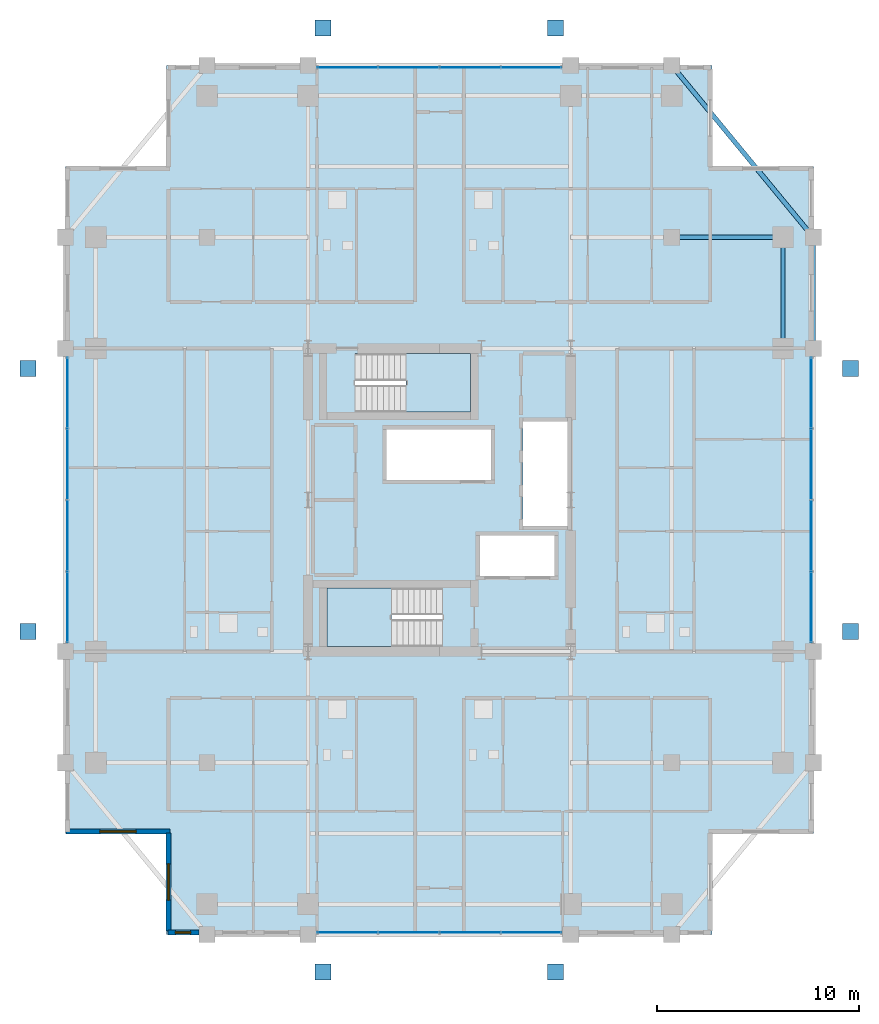
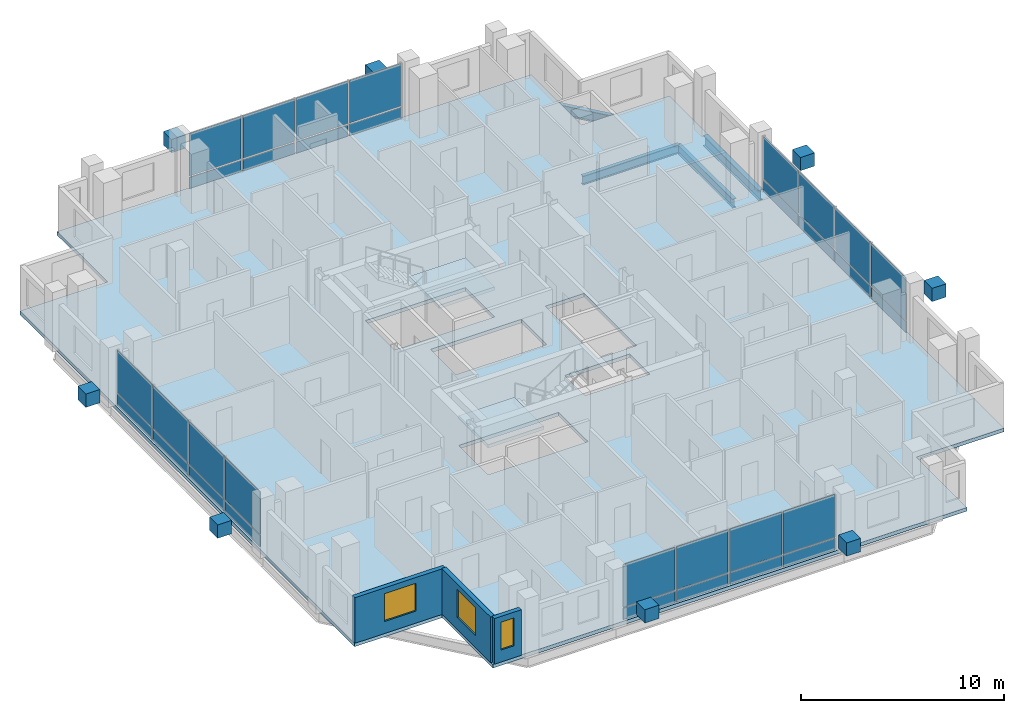
# One storey, part 17 of 24: 40 plates, 4 beams, 3 slabs, 3 walls, 3 windows, 3 openings, 6 elements without a shape of their own.
"""IFC4 building model written with IfcOpenShell, lengths in metres."""

from ifc_helpers import new_model, si_unit, direction, frame, frame_2d, origin, origin_2d, place, context, subcontext, project, spatial, polyline, rectangle, i_section, outline, extrude, material, layer, layer_set, material_profile, profile_set, type_object, element, fill, aggregate, save


model = new_model("IFC4")

# Units and contexts
model_context = context("Model", 3, precision=1e-05, world=origin(), true_north=direction((0.0, 1.0)))
body_context = subcontext(model_context, "Body", "Model", "MODEL_VIEW")
ifc_project = project(units=[si_unit("LENGTHUNIT", "METRE"), si_unit("AREAUNIT", "SQUARE_METRE"), si_unit("VOLUMEUNIT", "CUBIC_METRE"), si_unit("PLANEANGLEUNIT", "RADIAN"), si_unit("MASSUNIT", "GRAM", prefix="KILO")], contexts=[model_context])

# Site, building, storey
site_placement = place(None, origin())
site = spatial("IfcSite", under=ifc_project, at=site_placement, CompositionType="ELEMENT")
building_placement = place(site_placement, origin())
building = spatial("IfcBuilding", under=site, at=building_placement, Name="Barlavira Tower and Art Museum", CompositionType="ELEMENT")
storey_placement = place(building_placement, frame((0.0, 0.0, 169.199951171875)))
storey = spatial("IfcBuildingStorey", under=building, at=storey_placement, Name="L43", CompositionType="ELEMENT", Elevation=169.199951171875)

# Beams
ifc_material_1 = material(Name="Steel S355", Category="steel")
ifc_material_profile_1 = material_profile(ifc_material_1, i_section(OverallWidth=0.22998046875, OverallDepth=0.616943359375, WebThickness=0.01318359375, FlangeThickness=0.022216796875, at=origin_2d()), Name="W610x140.0")
ifc_profile_set_1 = profile_set([ifc_material_profile_1], Name="Steel S355")
beam_type_1 = type_object("IfcBeamType", Name="Upper Shaft Spandrel Edge Beam W610x140 Steel S355", PredefinedType="SPANDREL", material=ifc_profile_set_1)
beam_1_placement = place(storey_placement, frame((18.5, 7.5, -0.528564453125), z_axis=(0.0, 1.0, 0.0), x_axis=(-1.0, 0.0, 0.0)))
element("IfcBeam", 1, at=beam_1_placement, inside=storey, type_object=beam_type_1, Name="L43 Spandrel 7", PredefinedType="SPANDREL", context=body_context, shape_type="SweptSolid", body=[
    extrude(i_section(OverallWidth=0.22998046875, OverallDepth=0.616943359375, WebThickness=0.01318359375, FlangeThickness=0.022216796875, at=origin_2d()), origin(), (0.0, 0.0, 1.0), 5.5),
])
beam_2_placement = place(storey_placement, frame((18.5, 13.0, -0.528564453125), z_axis=(-0.635707252861, 0.771930235617, 0.0), x_axis=(-0.771930235617, -0.635707252861, 0.0)))
element("IfcBeam", 2, at=beam_2_placement, inside=storey, type_object=beam_type_1, Name="L43 Spandrel 8", PredefinedType="SPANDREL", context=body_context, shape_type="SweptSolid", body=[
    extrude(i_section(OverallWidth=0.22998046875, OverallDepth=0.616943359375, WebThickness=0.01318359375, FlangeThickness=0.022216796875, at=origin_2d()), origin(), (0.0, 0.0, 1.0), 11.011474609375),
])
ifc_material_profile_2 = material_profile(ifc_material_1, i_section(OverallWidth=0.2109375, OverallDepth=0.5390625, WebThickness=0.01171875, FlangeThickness=0.018798828125, at=origin_2d()), Name="W530x109.0")
ifc_profile_set_2 = profile_set([ifc_material_profile_2], Name="Steel S355")
beam_type_2 = type_object("IfcBeamType", Name="Zone 3-4 Primary Floor Girder W530x109 Steel S355", PredefinedType="BEAM", material=ifc_profile_set_2)
for number, where, z_axis, x_axis, name in (
    (3, (17.0, 7.5, -0.489501953125), (0.0, 1.0, 0.0), (-1.0, 0.0, 0.0), "L43 Girder M-E3"),
    (4, (11.5, 13.0, -0.489501953125), (1.0, 0.0, 0.0), (0.0, 1.0, 0.0), "L43 Girder I-N4"),
):
    element("IfcBeam", number, at=place(storey_placement, frame(where, z_axis=z_axis, x_axis=x_axis)), inside=storey, type_object=beam_type_2, Name=name, PredefinedType="BEAM", context=body_context, shape_type="SweptSolid", body=[
        extrude(i_section(OverallWidth=0.2109375, OverallDepth=0.5390625, WebThickness=0.01171875, FlangeThickness=0.018798828125, at=origin_2d()), origin(), (0.0, 0.0, 1.0), 5.5),
    ])

# Curtain wall, plates
ifc_material_2 = material(Name="Low-iron coastal laminated glass", Category="glass")
ifc_layer_1 = layer(ifc_material_2, 0.199951171875, Name="Low-iron coastal laminated glass")
ifc_layer_set_1 = layer_set([ifc_layer_1], Name="Low-iron coastal laminated glass")
curtain_wall_type = type_object("IfcCurtainWallType", Name="Pale-Metal Unitised Curtain Wall Zone 3", PredefinedType="NOTDEFINED", material=ifc_layer_set_1)
curtain_wall_1_placement = place(storey_placement, origin())
curtain_wall_1 = element("IfcCurtainWall", 5, at=curtain_wall_1_placement, inside=storey, type_object=curtain_wall_type, Name="L43 Curtain Wall CW3-L43-S-B3", PredefinedType="NOTDEFINED")
ifc_material_3 = material(Name="Pale anodised aluminium", Category="aluminium")
ifc_layer_2 = layer(ifc_material_3, 0.044921875, Name="Pale anodised aluminium")
ifc_layer_set_2 = layer_set([ifc_layer_2], Name="Pale anodised aluminium")
plate_type_1 = type_object("IfcPlateType", Name="Curtain Wall Pale-Metal Spandrel Panel 45", PredefinedType="CURTAIN_PANEL", material=ifc_layer_set_2)
plate_1_placement = place(storey_placement, frame((-4.56005859375, -21.39990234375, 0.0400390625), z_axis=(0.0, 0.0, 1.0), x_axis=(1.0, 0.0, 0.0)))
plate_1 = element("IfcPlate", 6, at=plate_1_placement, type_object=plate_type_1, Name="CW3-L43-S-B3 Spandrel Panel 0", PredefinedType="CURTAIN_PANEL", context=body_context, shape_type="SweptSolid", body=[
    extrude(rectangle(XDim=2.93994140625, YDim=0.044921875, at=origin_2d()), origin(), (0.0, 0.0, 1.0), 0.6640625),
])
plate_2_placement = place(storey_placement, frame((-1.52001953125, -21.39990234375, 0.0400390625), z_axis=(0.0, 0.0, 1.0), x_axis=(1.0, 0.0, 0.0)))
plate_2 = element("IfcPlate", 7, at=plate_2_placement, type_object=plate_type_1, Name="CW3-L43-S-B3 Spandrel Panel 1", PredefinedType="CURTAIN_PANEL", context=body_context, shape_type="SweptSolid", body=[
    extrude(rectangle(XDim=2.93994140625, YDim=0.044921875, at=origin_2d()), origin(), (0.0, 0.0, 1.0), 0.6640625),
])
plate_3_placement = place(storey_placement, frame((1.52001953125, -21.39990234375, 0.0400390625), z_axis=(0.0, 0.0, 1.0), x_axis=(1.0, 0.0, 0.0)))
plate_3 = element("IfcPlate", 8, at=plate_3_placement, type_object=plate_type_1, Name="CW3-L43-S-B3 Spandrel Panel 2", PredefinedType="CURTAIN_PANEL", context=body_context, shape_type="SweptSolid", body=[
    extrude(rectangle(XDim=2.93994140625, YDim=0.044921875, at=origin_2d()), origin(), (0.0, 0.0, 1.0), 0.6640625),
])
plate_4_placement = place(storey_placement, frame((4.56005859375, -21.39990234375, 0.0400390625), z_axis=(0.0, 0.0, 1.0), x_axis=(1.0, 0.0, 0.0)))
plate_4 = element("IfcPlate", 9, at=plate_4_placement, type_object=plate_type_1, Name="CW3-L43-S-B3 Spandrel Panel 3", PredefinedType="CURTAIN_PANEL", context=body_context, shape_type="SweptSolid", body=[
    extrude(rectangle(XDim=2.93994140625, YDim=0.044921875, at=origin_2d()), origin(), (0.0, 0.0, 1.0), 0.6640625),
])

curtain_wall_2_placement = place(storey_placement, origin())
curtain_wall_2 = element("IfcCurtainWall", 10, at=curtain_wall_2_placement, inside=storey, type_object=curtain_wall_type, Name="L43 Curtain Wall CW3-L43-N-B3", PredefinedType="NOTDEFINED")
plate_5_placement = place(storey_placement, frame((4.56005859375, 21.39990234375, 0.0400390625), z_axis=(0.0, 0.0, 1.0), x_axis=(-1.0, 0.0, 0.0)))
plate_5 = element("IfcPlate", 11, at=plate_5_placement, type_object=plate_type_1, Name="CW3-L43-N-B3 Spandrel Panel 0", PredefinedType="CURTAIN_PANEL", context=body_context, shape_type="SweptSolid", body=[
    extrude(rectangle(XDim=2.93994140625, YDim=0.044921875, at=origin_2d()), origin(), (0.0, 0.0, 1.0), 0.6640625),
])
plate_6_placement = place(storey_placement, frame((1.52001953125, 21.39990234375, 0.0400390625), z_axis=(0.0, 0.0, 1.0), x_axis=(-1.0, 0.0, 0.0)))
plate_6 = element("IfcPlate", 12, at=plate_6_placement, type_object=plate_type_1, Name="CW3-L43-N-B3 Spandrel Panel 1", PredefinedType="CURTAIN_PANEL", context=body_context, shape_type="SweptSolid", body=[
    extrude(rectangle(XDim=2.93994140625, YDim=0.044921875, at=origin_2d()), origin(), (0.0, 0.0, 1.0), 0.6640625),
])
plate_7_placement = place(storey_placement, frame((-1.52001953125, 21.39990234375, 0.0400390625), z_axis=(0.0, 0.0, 1.0), x_axis=(-1.0, 0.0, 0.0)))
plate_7 = element("IfcPlate", 13, at=plate_7_placement, type_object=plate_type_1, Name="CW3-L43-N-B3 Spandrel Panel 2", PredefinedType="CURTAIN_PANEL", context=body_context, shape_type="SweptSolid", body=[
    extrude(rectangle(XDim=2.93994140625, YDim=0.044921875, at=origin_2d()), origin(), (0.0, 0.0, 1.0), 0.6640625),
])
plate_8_placement = place(storey_placement, frame((-4.56005859375, 21.39990234375, 0.0400390625), z_axis=(0.0, 0.0, 1.0), x_axis=(-1.0, 0.0, 0.0)))
plate_8 = element("IfcPlate", 14, at=plate_8_placement, type_object=plate_type_1, Name="CW3-L43-N-B3 Spandrel Panel 3", PredefinedType="CURTAIN_PANEL", context=body_context, shape_type="SweptSolid", body=[
    extrude(rectangle(XDim=2.93994140625, YDim=0.044921875, at=origin_2d()), origin(), (0.0, 0.0, 1.0), 0.6640625),
])

curtain_wall_3_placement = place(storey_placement, origin())
curtain_wall_3 = element("IfcCurtainWall", 15, at=curtain_wall_3_placement, inside=storey, type_object=curtain_wall_type, Name="L43 Curtain Wall CW3-L43-W-B3", PredefinedType="NOTDEFINED")
plate_9_placement = place(storey_placement, frame((-18.39990234375, 5.31005859375, 0.0400390625), z_axis=(0.0, 0.0, 1.0), x_axis=(0.0, -1.0, 0.0)))
plate_9 = element("IfcPlate", 16, at=plate_9_placement, type_object=plate_type_1, Name="CW3-L43-W-B3 Spandrel Panel 0", PredefinedType="CURTAIN_PANEL", context=body_context, shape_type="SweptSolid", body=[
    extrude(rectangle(XDim=3.43994140625, YDim=0.044921875, at=origin_2d()), origin(), (0.0, 0.0, 1.0), 0.6640625),
])
plate_10_placement = place(storey_placement, frame((-18.39990234375, 1.77001953125, 0.0400390625), z_axis=(0.0, 0.0, 1.0), x_axis=(0.0, -1.0, 0.0)))
plate_10 = element("IfcPlate", 17, at=plate_10_placement, type_object=plate_type_1, Name="CW3-L43-W-B3 Spandrel Panel 1", PredefinedType="CURTAIN_PANEL", context=body_context, shape_type="SweptSolid", body=[
    extrude(rectangle(XDim=3.43994140625, YDim=0.044921875, at=origin_2d()), origin(), (0.0, 0.0, 1.0), 0.6640625),
])
plate_11_placement = place(storey_placement, frame((-18.39990234375, -1.77001953125, 0.0400390625), z_axis=(0.0, 0.0, 1.0), x_axis=(0.0, -1.0, 0.0)))
plate_11 = element("IfcPlate", 18, at=plate_11_placement, type_object=plate_type_1, Name="CW3-L43-W-B3 Spandrel Panel 2", PredefinedType="CURTAIN_PANEL", context=body_context, shape_type="SweptSolid", body=[
    extrude(rectangle(XDim=3.43994140625, YDim=0.044921875, at=origin_2d()), origin(), (0.0, 0.0, 1.0), 0.6640625),
])
plate_12_placement = place(storey_placement, frame((-18.39990234375, -5.31005859375, 0.0400390625), z_axis=(0.0, 0.0, 1.0), x_axis=(0.0, -1.0, 0.0)))
plate_12 = element("IfcPlate", 19, at=plate_12_placement, type_object=plate_type_1, Name="CW3-L43-W-B3 Spandrel Panel 3", PredefinedType="CURTAIN_PANEL", context=body_context, shape_type="SweptSolid", body=[
    extrude(rectangle(XDim=3.43994140625, YDim=0.044921875, at=origin_2d()), origin(), (0.0, 0.0, 1.0), 0.6640625),
])

curtain_wall_4_placement = place(storey_placement, origin())
curtain_wall_4 = element("IfcCurtainWall", 20, at=curtain_wall_4_placement, inside=storey, type_object=curtain_wall_type, Name="L43 Curtain Wall CW3-L43-E-B3", PredefinedType="NOTDEFINED")
plate_13_placement = place(storey_placement, frame((18.39990234375, -5.31005859375, 0.0400390625), z_axis=(0.0, 0.0, 1.0), x_axis=(0.0, 1.0, 0.0)))
plate_13 = element("IfcPlate", 21, at=plate_13_placement, type_object=plate_type_1, Name="CW3-L43-E-B3 Spandrel Panel 0", PredefinedType="CURTAIN_PANEL", context=body_context, shape_type="SweptSolid", body=[
    extrude(rectangle(XDim=3.43994140625, YDim=0.044921875, at=origin_2d()), origin(), (0.0, 0.0, 1.0), 0.6640625),
])
plate_14_placement = place(storey_placement, frame((18.39990234375, -1.77001953125, 0.0400390625), z_axis=(0.0, 0.0, 1.0), x_axis=(0.0, 1.0, 0.0)))
plate_14 = element("IfcPlate", 22, at=plate_14_placement, type_object=plate_type_1, Name="CW3-L43-E-B3 Spandrel Panel 1", PredefinedType="CURTAIN_PANEL", context=body_context, shape_type="SweptSolid", body=[
    extrude(rectangle(XDim=3.43994140625, YDim=0.044921875, at=origin_2d()), origin(), (0.0, 0.0, 1.0), 0.6640625),
])
plate_15_placement = place(storey_placement, frame((18.39990234375, 1.77001953125, 0.0400390625), z_axis=(0.0, 0.0, 1.0), x_axis=(0.0, 1.0, 0.0)))
plate_15 = element("IfcPlate", 23, at=plate_15_placement, type_object=plate_type_1, Name="CW3-L43-E-B3 Spandrel Panel 2", PredefinedType="CURTAIN_PANEL", context=body_context, shape_type="SweptSolid", body=[
    extrude(rectangle(XDim=3.43994140625, YDim=0.044921875, at=origin_2d()), origin(), (0.0, 0.0, 1.0), 0.6640625),
])
plate_16_placement = place(storey_placement, frame((18.39990234375, 5.31005859375, 0.0400390625), z_axis=(0.0, 0.0, 1.0), x_axis=(0.0, 1.0, 0.0)))
plate_16 = element("IfcPlate", 24, at=plate_16_placement, type_object=plate_type_1, Name="CW3-L43-E-B3 Spandrel Panel 3", PredefinedType="CURTAIN_PANEL", context=body_context, shape_type="SweptSolid", body=[
    extrude(rectangle(XDim=3.43994140625, YDim=0.044921875, at=origin_2d()), origin(), (0.0, 0.0, 1.0), 0.6640625),
])

# Plate
ifc_layer_3 = layer(ifc_material_2, 0.028076171875, Name="Low-iron coastal laminated glass")
ifc_layer_set_3 = layer_set([ifc_layer_3], Name="Low-iron coastal laminated glass")
plate_type_2 = type_object("IfcPlateType", Name="Curtain Wall Vision Glazing Panel 28", PredefinedType="CURTAIN_PANEL", material=ifc_layer_set_3)
plate_17_placement = place(storey_placement, frame((-4.56005859375, -21.39990234375, 0.7841796875), z_axis=(0.0, 0.0, 1.0), x_axis=(1.0, 0.0, 0.0)))
plate_17 = element("IfcPlate", 25, at=plate_17_placement, type_object=plate_type_2, Name="CW3-L43-S-B3 Vision Glass Panel 0", PredefinedType="CURTAIN_PANEL", context=body_context, shape_type="SweptSolid", body=[
    extrude(rectangle(XDim=2.93994140625, YDim=0.028076171875, at=origin_2d()), origin(), (0.0, 0.0, 1.0), 2.555908203125),
])

plate_18_placement = place(storey_placement, frame((-1.52001953125, -21.39990234375, 0.7841796875), z_axis=(0.0, 0.0, 1.0), x_axis=(1.0, 0.0, 0.0)))
plate_18 = element("IfcPlate", 26, at=plate_18_placement, type_object=plate_type_2, Name="CW3-L43-S-B3 Vision Glass Panel 1", PredefinedType="CURTAIN_PANEL", context=body_context, shape_type="SweptSolid", body=[
    extrude(rectangle(XDim=2.93994140625, YDim=0.028076171875, at=origin_2d()), origin(), (0.0, 0.0, 1.0), 2.555908203125),
])

plate_19_placement = place(storey_placement, frame((1.52001953125, -21.39990234375, 0.7841796875), z_axis=(0.0, 0.0, 1.0), x_axis=(1.0, 0.0, 0.0)))
plate_19 = element("IfcPlate", 27, at=plate_19_placement, type_object=plate_type_2, Name="CW3-L43-S-B3 Vision Glass Panel 2", PredefinedType="CURTAIN_PANEL", context=body_context, shape_type="SweptSolid", body=[
    extrude(rectangle(XDim=2.93994140625, YDim=0.028076171875, at=origin_2d()), origin(), (0.0, 0.0, 1.0), 2.555908203125),
])

plate_20_placement = place(storey_placement, frame((4.56005859375, -21.39990234375, 0.7841796875), z_axis=(0.0, 0.0, 1.0), x_axis=(1.0, 0.0, 0.0)))
plate_20 = element("IfcPlate", 28, at=plate_20_placement, type_object=plate_type_2, Name="CW3-L43-S-B3 Vision Glass Panel 3", PredefinedType="CURTAIN_PANEL", context=body_context, shape_type="SweptSolid", body=[
    extrude(rectangle(XDim=2.93994140625, YDim=0.028076171875, at=origin_2d()), origin(), (0.0, 0.0, 1.0), 2.555908203125),
])

aggregate(curtain_wall_1, [plate_1, plate_17, plate_2, plate_18, plate_3, plate_19, plate_4, plate_20])

plate_21_placement = place(storey_placement, frame((4.56005859375, 21.39990234375, 0.7841796875), z_axis=(0.0, 0.0, 1.0), x_axis=(-1.0, 0.0, 0.0)))
plate_21 = element("IfcPlate", 29, at=plate_21_placement, type_object=plate_type_2, Name="CW3-L43-N-B3 Vision Glass Panel 0", PredefinedType="CURTAIN_PANEL", context=body_context, shape_type="SweptSolid", body=[
    extrude(rectangle(XDim=2.93994140625, YDim=0.028076171875, at=origin_2d()), origin(), (0.0, 0.0, 1.0), 2.555908203125),
])

plate_22_placement = place(storey_placement, frame((1.52001953125, 21.39990234375, 0.7841796875), z_axis=(0.0, 0.0, 1.0), x_axis=(-1.0, 0.0, 0.0)))
plate_22 = element("IfcPlate", 30, at=plate_22_placement, type_object=plate_type_2, Name="CW3-L43-N-B3 Vision Glass Panel 1", PredefinedType="CURTAIN_PANEL", context=body_context, shape_type="SweptSolid", body=[
    extrude(rectangle(XDim=2.93994140625, YDim=0.028076171875, at=origin_2d()), origin(), (0.0, 0.0, 1.0), 2.555908203125),
])

plate_23_placement = place(storey_placement, frame((-1.52001953125, 21.39990234375, 0.7841796875), z_axis=(0.0, 0.0, 1.0), x_axis=(-1.0, 0.0, 0.0)))
plate_23 = element("IfcPlate", 31, at=plate_23_placement, type_object=plate_type_2, Name="CW3-L43-N-B3 Vision Glass Panel 2", PredefinedType="CURTAIN_PANEL", context=body_context, shape_type="SweptSolid", body=[
    extrude(rectangle(XDim=2.93994140625, YDim=0.028076171875, at=origin_2d()), origin(), (0.0, 0.0, 1.0), 2.555908203125),
])

plate_24_placement = place(storey_placement, frame((-4.56005859375, 21.39990234375, 0.7841796875), z_axis=(0.0, 0.0, 1.0), x_axis=(-1.0, 0.0, 0.0)))
plate_24 = element("IfcPlate", 32, at=plate_24_placement, type_object=plate_type_2, Name="CW3-L43-N-B3 Vision Glass Panel 3", PredefinedType="CURTAIN_PANEL", context=body_context, shape_type="SweptSolid", body=[
    extrude(rectangle(XDim=2.93994140625, YDim=0.028076171875, at=origin_2d()), origin(), (0.0, 0.0, 1.0), 2.555908203125),
])

aggregate(curtain_wall_2, [plate_5, plate_21, plate_6, plate_22, plate_7, plate_23, plate_8, plate_24])

plate_25_placement = place(storey_placement, frame((-18.39990234375, 5.31005859375, 0.7841796875), z_axis=(0.0, 0.0, 1.0), x_axis=(0.0, -1.0, 0.0)))
plate_25 = element("IfcPlate", 33, at=plate_25_placement, type_object=plate_type_2, Name="CW3-L43-W-B3 Vision Glass Panel 0", PredefinedType="CURTAIN_PANEL", context=body_context, shape_type="SweptSolid", body=[
    extrude(rectangle(XDim=3.43994140625, YDim=0.028076171875, at=origin_2d()), origin(), (0.0, 0.0, 1.0), 2.555908203125),
])

plate_26_placement = place(storey_placement, frame((-18.39990234375, 1.77001953125, 0.7841796875), z_axis=(0.0, 0.0, 1.0), x_axis=(0.0, -1.0, 0.0)))
plate_26 = element("IfcPlate", 34, at=plate_26_placement, type_object=plate_type_2, Name="CW3-L43-W-B3 Vision Glass Panel 1", PredefinedType="CURTAIN_PANEL", context=body_context, shape_type="SweptSolid", body=[
    extrude(rectangle(XDim=3.43994140625, YDim=0.028076171875, at=origin_2d()), origin(), (0.0, 0.0, 1.0), 2.555908203125),
])

plate_27_placement = place(storey_placement, frame((-18.39990234375, -1.77001953125, 0.7841796875), z_axis=(0.0, 0.0, 1.0), x_axis=(0.0, -1.0, 0.0)))
plate_27 = element("IfcPlate", 35, at=plate_27_placement, type_object=plate_type_2, Name="CW3-L43-W-B3 Vision Glass Panel 2", PredefinedType="CURTAIN_PANEL", context=body_context, shape_type="SweptSolid", body=[
    extrude(rectangle(XDim=3.43994140625, YDim=0.028076171875, at=origin_2d()), origin(), (0.0, 0.0, 1.0), 2.555908203125),
])

plate_28_placement = place(storey_placement, frame((-18.39990234375, -5.31005859375, 0.7841796875), z_axis=(0.0, 0.0, 1.0), x_axis=(0.0, -1.0, 0.0)))
plate_28 = element("IfcPlate", 36, at=plate_28_placement, type_object=plate_type_2, Name="CW3-L43-W-B3 Vision Glass Panel 3", PredefinedType="CURTAIN_PANEL", context=body_context, shape_type="SweptSolid", body=[
    extrude(rectangle(XDim=3.43994140625, YDim=0.028076171875, at=origin_2d()), origin(), (0.0, 0.0, 1.0), 2.555908203125),
])

aggregate(curtain_wall_3, [plate_9, plate_25, plate_10, plate_26, plate_11, plate_27, plate_12, plate_28])

plate_29_placement = place(storey_placement, frame((18.39990234375, -5.31005859375, 0.7841796875), z_axis=(0.0, 0.0, 1.0), x_axis=(0.0, 1.0, 0.0)))
plate_29 = element("IfcPlate", 37, at=plate_29_placement, type_object=plate_type_2, Name="CW3-L43-E-B3 Vision Glass Panel 0", PredefinedType="CURTAIN_PANEL", context=body_context, shape_type="SweptSolid", body=[
    extrude(rectangle(XDim=3.43994140625, YDim=0.028076171875, at=origin_2d()), origin(), (0.0, 0.0, 1.0), 2.555908203125),
])

plate_30_placement = place(storey_placement, frame((18.39990234375, -1.77001953125, 0.7841796875), z_axis=(0.0, 0.0, 1.0), x_axis=(0.0, 1.0, 0.0)))
plate_30 = element("IfcPlate", 38, at=plate_30_placement, type_object=plate_type_2, Name="CW3-L43-E-B3 Vision Glass Panel 1", PredefinedType="CURTAIN_PANEL", context=body_context, shape_type="SweptSolid", body=[
    extrude(rectangle(XDim=3.43994140625, YDim=0.028076171875, at=origin_2d()), origin(), (0.0, 0.0, 1.0), 2.555908203125),
])

plate_31_placement = place(storey_placement, frame((18.39990234375, 1.77001953125, 0.7841796875), z_axis=(0.0, 0.0, 1.0), x_axis=(0.0, 1.0, 0.0)))
plate_31 = element("IfcPlate", 39, at=plate_31_placement, type_object=plate_type_2, Name="CW3-L43-E-B3 Vision Glass Panel 2", PredefinedType="CURTAIN_PANEL", context=body_context, shape_type="SweptSolid", body=[
    extrude(rectangle(XDim=3.43994140625, YDim=0.028076171875, at=origin_2d()), origin(), (0.0, 0.0, 1.0), 2.555908203125),
])

plate_32_placement = place(storey_placement, frame((18.39990234375, 5.31005859375, 0.7841796875), z_axis=(0.0, 0.0, 1.0), x_axis=(0.0, 1.0, 0.0)))
plate_32 = element("IfcPlate", 40, at=plate_32_placement, type_object=plate_type_2, Name="CW3-L43-E-B3 Vision Glass Panel 3", PredefinedType="CURTAIN_PANEL", context=body_context, shape_type="SweptSolid", body=[
    extrude(rectangle(XDim=3.43994140625, YDim=0.028076171875, at=origin_2d()), origin(), (0.0, 0.0, 1.0), 2.555908203125),
])

aggregate(curtain_wall_4, [plate_13, plate_29, plate_14, plate_30, plate_15, plate_31, plate_16, plate_32])

# Plates
ifc_layer_4 = layer(ifc_material_1, 0.800048828125, Name="Steel S355")
ifc_layer_set_4 = layer_set([ifc_layer_4], Name="Steel S355")
plate_type_3 = type_object("IfcPlateType", Name="Exoskeleton Solid Steel Node Cap Plate Assembly Type 3 Steel S355", PredefinedType="USERDEFINED", material=ifc_layer_set_4)
for number, where, z_axis, x_axis, name in (
    (41, (-5.75, -23.35009765625, 1.27978515625), (0.0, 0.0, 1.0), (1.0, 0.0, 0.0), "Exoskeleton Diamond Node S1 ND-L43-0456"),
    (42, (5.75, -23.35009765625, 1.27978515625), (0.0, 0.0, 1.0), (1.0, 0.0, 0.0), "Exoskeleton Diamond Node S2 ND-L43-0457"),
    (43, (-5.75, 23.35009765625, 1.27978515625), (0.0, 0.0, 1.0), (1.0, 0.0, 0.0), "Exoskeleton Diamond Node N1 ND-L43-0464"),
    (44, (5.75, 23.35009765625, 1.27978515625), (0.0, 0.0, 1.0), (1.0, 0.0, 0.0), "Exoskeleton Diamond Node N2 ND-L43-0465"),
    (45, (-20.35009765625, -6.5, 1.27978515625), (0.0, 0.0, 1.0), (1.0, 0.0, 0.0), "Exoskeleton Diamond Node W1 ND-L43-0472"),
    (46, (-20.35009765625, 6.5, 1.27978515625), (0.0, 0.0, 1.0), (1.0, 0.0, 0.0), "Exoskeleton Diamond Node W2 ND-L43-0473"),
    (47, (20.35009765625, -6.5, 1.27978515625), (0.0, 0.0, 1.0), (1.0, 0.0, 0.0), "Exoskeleton Diamond Node E1 ND-L43-0480"),
    (48, (20.35009765625, 6.5, 1.27978515625), (0.0, 0.0, 1.0), (1.0, 0.0, 0.0), "Exoskeleton Diamond Node E2 ND-L43-0481"),
):
    element("IfcPlate", number, at=place(storey_placement, frame(where, z_axis=z_axis, x_axis=x_axis)), inside=storey, type_object=plate_type_3, Name=name, ObjectType="FLANGE_PLATE", PredefinedType="USERDEFINED", context=body_context, shape_type="SweptSolid", body=[
        extrude(rectangle(XDim=0.800048828125, YDim=0.800048828125, at=origin_2d()), origin(), (0.0, 0.0, 1.0), 0.800048828125),
    ])

# Stair, slab
ifc_material_4 = material(Name="Concrete C45", Category="concrete")
stair_type_1 = type_object("IfcStairType", Name="Tower North Dog-Leg Exit Stair Assembly Concrete C45", PredefinedType="TWO_QUARTER_TURN_STAIR", material=ifc_material_4)
stair_1_placement = place(storey_placement, origin())
stair_1 = element("IfcStair", 49, at=stair_1_placement, inside=storey, type_object=stair_type_1, Name="L43 Tower North Exit Stair ST-T2", PredefinedType="TWO_QUARTER_TURN_STAIR")
ifc_layer_5 = layer(ifc_material_4, 0.199951171875, Name="Concrete C45")
ifc_layer_set_5 = layer_set([ifc_layer_5], Name="Concrete C45")
slab_type_1 = type_object("IfcSlabType", Name="Tower North Dog-Leg Exit Stair Half-Landing Slab 200 Concrete C45", PredefinedType="LANDING", material=ifc_layer_set_5)
slab_1_placement = place(storey_placement, frame((0.0, 0.0, 1.60009765625)))
slab_1 = element("IfcSlab", 50, at=slab_1_placement, type_object=slab_type_1, Name="ST-T2 landing 1", PredefinedType="LANDING", context=body_context, shape_type="SweptSolid", body=[
    extrude(outline(polyline([(-1.64990234375, 4.35009765625), (1.530029296875, 4.35009765625), (1.530029296875, 7.25), (-1.64990234375, 7.25), (-1.64990234375, 4.35009765625)])), origin(), (0.0, 0.0, 1.0), 0.199951171875),
])
aggregate(stair_1, [slab_1])

stair_type_2 = type_object("IfcStairType", Name="Tower South Dog-Leg Exit Stair Assembly Concrete C45", PredefinedType="TWO_QUARTER_TURN_STAIR", material=ifc_material_4)
stair_2_placement = place(storey_placement, origin())
stair_2 = element("IfcStair", 51, at=stair_2_placement, inside=storey, type_object=stair_type_2, Name="L43 Tower South Exit Stair ST-T1", PredefinedType="TWO_QUARTER_TURN_STAIR")
ifc_layer_6 = layer(ifc_material_4, 0.199951171875, Name="Concrete C45")
ifc_layer_set_6 = layer_set([ifc_layer_6], Name="Concrete C45")
slab_type_2 = type_object("IfcSlabType", Name="Tower South Dog-Leg Exit Stair Half-Landing Slab 200 Concrete C45", PredefinedType="LANDING", material=ifc_layer_set_6)
slab_2_placement = place(storey_placement, frame((0.0, 0.0, 1.60009765625)))
slab_2 = element("IfcSlab", 52, at=slab_2_placement, type_object=slab_type_2, Name="ST-T1 landing 1", PredefinedType="LANDING", context=body_context, shape_type="SweptSolid", body=[
    extrude(outline(polyline([(-2.3701171875, -4.35009765625), (-5.550048828125, -4.35009765625), (-5.550048828125, -7.25), (-2.3701171875, -7.25), (-2.3701171875, -4.35009765625)])), origin(), (0.0, 0.0, 1.0), 0.199951171875),
])
aggregate(stair_2, [slab_2])

# Slab
ifc_material_5 = material(Name="Concrete C50", Category="concrete")
ifc_layer_7 = layer(ifc_material_5, 0.199951171875, Name="Concrete C50")
ifc_layer_set_7 = layer_set([ifc_layer_7], Name="Concrete C50")
slab_type_3 = type_object("IfcSlabType", Name="Zone 3 Residential Composite Slab 200 Concrete C50", PredefinedType="FLOOR", material=ifc_layer_set_7)
slab_3_placement = place(storey_placement, frame((0.0, 0.0, -0.219970703125)))
element("IfcSlab", 53, at=slab_3_placement, inside=storey, type_object=slab_type_3, Name="L43 Tower Floor Slab", PredefinedType="FLOOR", context=body_context, shape_type="SweptSolid", body=[
    extrude(outline(polyline([(-13.5, -21.5), (13.5, -21.5), (13.5, -16.5), (18.5, -16.5), (18.5, 16.5), (13.5, 16.5), (13.5, 21.5), (-13.5, 21.5), (-13.5, 16.5), (-18.5, 16.5), (-18.5, -16.5), (-13.5, -16.5), (-13.5, -21.5)]), holes=[polyline([(0.14990234375, -4.35009765625), (-5.550048828125, -4.35009765625), (-5.550048828125, -7.25), (0.14990234375, -7.25), (0.14990234375, -4.35009765625)]), polyline([(-4.169921875, 4.35009765625), (1.530029296875, 4.35009765625), (1.530029296875, 7.25), (-4.169921875, 7.25), (-4.169921875, 4.35009765625)]), polyline([(4.14990234375, -1.2900390625), (6.35009765625, -1.2900390625), (6.35009765625, 3.889892578125), (4.14990234375, 3.889892578125), (4.14990234375, -1.2900390625)]), polyline([(-2.6201171875, 1.0), (2.56005859375, 1.0), (2.56005859375, 3.5), (-2.6201171875, 3.5), (-2.6201171875, 1.0)]), polyline([(2.0, -3.75), (5.699951171875, -3.75), (5.699951171875, -1.75), (2.0, -1.75), (2.0, -3.75)])]), origin(), (0.0, 0.0, 1.0), 0.219970703125),
])

# Wall, opening, window
ifc_material_6 = material(Name="Precast concrete C40", Category="concrete")
ifc_layer_8 = layer(ifc_material_6, 0.25, Name="Precast concrete C40")
ifc_layer_set_8 = layer_set([ifc_layer_8], Name="Precast concrete C40")
wall_type = type_object("IfcWallType", Name="Notched Corner Spandrel Wall 250 Precast Concrete C40", PredefinedType="SOLIDWALL", material=ifc_layer_set_8)
wall_1_placement = place(storey_placement, frame((-13.425048828125, -21.39990234375, 0.0), z_axis=(0.0, 0.0, 1.0), x_axis=(1.0, 0.0, 0.0)))
wall_1 = element("IfcWall", 54, at=wall_1_placement, inside=storey, type_object=wall_type, Name="L43 Coastal Facade Pier Wall CW3-L43-S-1", PredefinedType="SOLIDWALL", context=body_context, shape_type="SweptSolid", body=[
    extrude(rectangle(XDim=1.530029296875, YDim=0.25, at=frame_2d((0.76513671875, 0.0))), origin(), (0.0, 0.0, 1.0), 2.748046875),
])
opening_1_placement = place(wall_1_placement, frame((0.363037109375, 0.0, 0.719970703125)))
opening_1 = element("IfcOpeningElement", 55, at=opening_1_placement, cuts=wall_1, Name="Opening WN-06", PredefinedType="OPENING", context=body_context, shape_type="SweptSolid", body=[
    extrude(rectangle(XDim=0.760009765625, YDim=1.679931640625, at=frame_2d((0.3798828125, 0.83984375))), frame((0.0, 0.135009765625, 0.0), z_axis=(0.0, -1.0, 0.0), x_axis=(1.0, 0.0, 0.0)), (0.0, 0.0, 1.0), 0.27001953125),
])
window_type_1 = type_object("IfcWindowType", Name="Recessed Narrow Pier Window 760x1680", PartitioningType="SINGLE_PANEL", PredefinedType="WINDOW", material=ifc_material_2)
window_1_placement = place(opening_1_placement, origin())
window_1 = element("IfcWindow", 56, at=window_1_placement, inside=storey, type_object=window_type_1, Name="L43 Punched Facade Window EWP-CW3-L43-S-1-1", OverallHeight=1.679931640625, OverallWidth=0.760009765625, PartitioningType="SINGLE_PANEL", PredefinedType="WINDOW", context=body_context, shape_type="SweptSolid", body=[
    extrude(rectangle(XDim=0.760009765625, YDim=1.679931640625, at=frame_2d((0.3798828125, 0.83984375))), frame((0.0, 0.030029296875, 0.0), z_axis=(0.0, -1.0, 0.0), x_axis=(1.0, 0.0, 0.0)), (0.0, 0.0, 1.0), 0.06005859375),
])
fill(opening_1, window_1)

wall_2_placement = place(storey_placement, frame((-18.47998046875, -16.39990234375, 0.0), z_axis=(0.0, 0.0, 1.0), x_axis=(1.0, 0.0, 0.0)))
wall_2 = element("IfcWall", 57, at=wall_2_placement, inside=storey, type_object=wall_type, Name="L43 Notch Corner Wall SW1", PredefinedType="SOLIDWALL", context=body_context, shape_type="SweptSolid", body=[
    extrude(rectangle(XDim=5.159912109375, YDim=0.25, at=frame_2d((2.580078125, 0.0))), origin(), (0.0, 0.0, 1.0), 2.748046875),
])
opening_2_placement = place(wall_2_placement, frame((1.679931640625, 0.0, 0.719970703125)))
opening_2 = element("IfcOpeningElement", 58, at=opening_2_placement, cuts=wall_2, Name="Opening WN-01", PredefinedType="OPENING", context=body_context, shape_type="SweptSolid", body=[
    extrude(rectangle(XDim=1.800048828125, YDim=1.679931640625, at=frame_2d((0.89990234375, 0.83984375))), frame((0.0, 0.135009765625, 0.0), z_axis=(0.0, -1.0, 0.0), x_axis=(1.0, 0.0, 0.0)), (0.0, 0.0, 1.0), 0.27001953125),
])
window_type_2 = type_object("IfcWindowType", Name="Recessed Notch Corner Punch Window 1800x1680", PartitioningType="SINGLE_PANEL", PredefinedType="WINDOW", material=ifc_material_2)
window_2_placement = place(opening_2_placement, origin())
window_2 = element("IfcWindow", 59, at=window_2_placement, inside=storey, type_object=window_type_2, Name="L43 Punched Facade Window EW-NTC-L43-SW1-1", OverallHeight=1.679931640625, OverallWidth=1.800048828125, PartitioningType="SINGLE_PANEL", PredefinedType="WINDOW", context=body_context, shape_type="SweptSolid", body=[
    extrude(rectangle(XDim=1.800048828125, YDim=1.679931640625, at=frame_2d((0.89990234375, 0.83984375))), frame((0.0, 0.030029296875, 0.0), z_axis=(0.0, -1.0, 0.0), x_axis=(1.0, 0.0, 0.0)), (0.0, 0.0, 1.0), 0.06005859375),
])
fill(opening_2, window_2)

wall_3_placement = place(storey_placement, frame((-13.39990234375, -16.47998046875, 0.0), z_axis=(0.0, 0.0, 1.0), x_axis=(0.0, -1.0, 0.0)))
wall_3 = element("IfcWall", 60, at=wall_3_placement, inside=storey, type_object=wall_type, Name="L43 Notch Corner Wall SW2", PredefinedType="SOLIDWALL", context=body_context, shape_type="SweptSolid", body=[
    extrude(rectangle(XDim=4.840087890625, YDim=0.25, at=frame_2d((2.419921875, 0.0))), origin(), (0.0, 0.0, 1.0), 2.748046875),
])
opening_3_placement = place(wall_3_placement, frame((1.52001953125, 0.0, 0.719970703125)))
opening_3 = element("IfcOpeningElement", 61, at=opening_3_placement, cuts=wall_3, Name="Opening WN-01", PredefinedType="OPENING", context=body_context, shape_type="SweptSolid", body=[
    extrude(rectangle(XDim=1.800048828125, YDim=1.679931640625, at=frame_2d((0.89990234375, 0.83984375))), frame((0.0, 0.135009765625, 0.0), z_axis=(0.0, -1.0, 0.0), x_axis=(1.0, 0.0, 0.0)), (0.0, 0.0, 1.0), 0.27001953125),
])
window_3_placement = place(opening_3_placement, origin())
window_3 = element("IfcWindow", 62, at=window_3_placement, inside=storey, type_object=window_type_2, Name="L43 Punched Facade Window EW-NTC-L43-SW2-1", OverallHeight=1.679931640625, OverallWidth=1.800048828125, PartitioningType="SINGLE_PANEL", PredefinedType="WINDOW", context=body_context, shape_type="SweptSolid", body=[
    extrude(rectangle(XDim=1.800048828125, YDim=1.679931640625, at=frame_2d((0.89990234375, 0.83984375))), frame((0.0, 0.030029296875, 0.0), z_axis=(0.0, -1.0, 0.0), x_axis=(1.0, 0.0, 0.0)), (0.0, 0.0, 1.0), 0.06005859375),
])
fill(opening_3, window_3)

save(model, "model.ifc")
